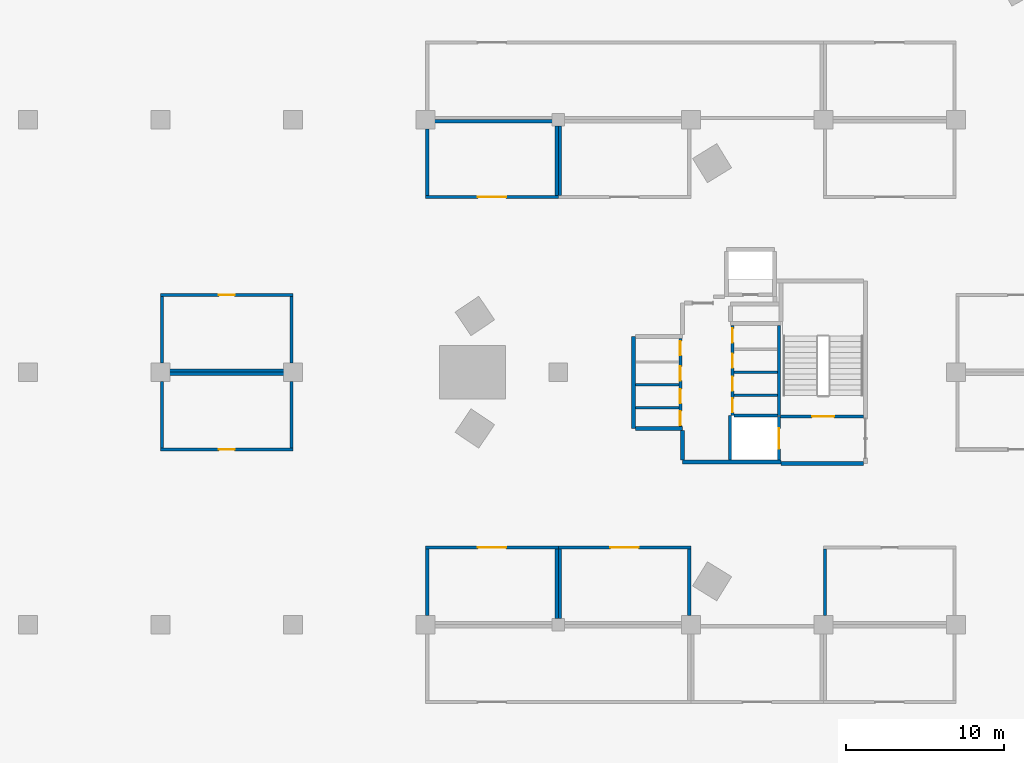
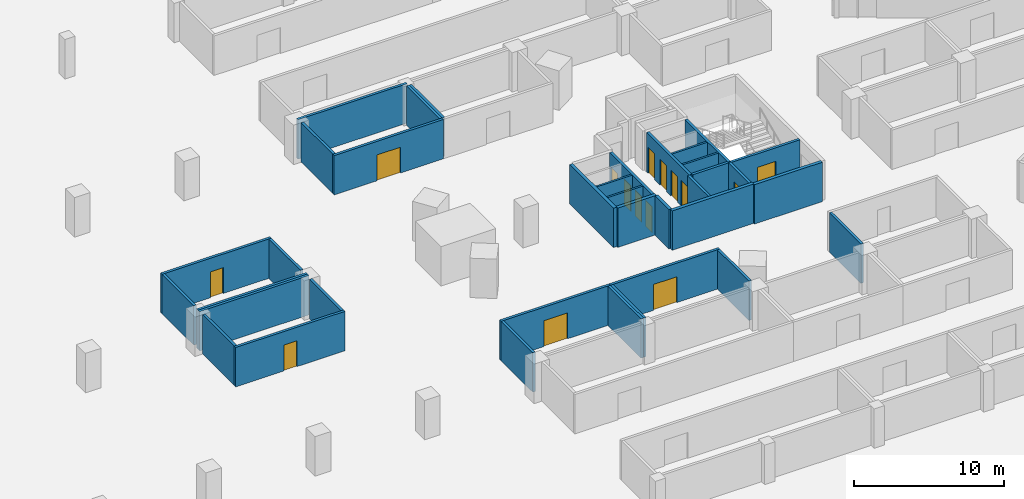
# One storey, part 9 of 37: 36 walls, 15 doors, 15 openings.
"""IFC4 building model written with IfcOpenShell, lengths in metres."""

import ifcopenshell
import ifcopenshell.guid

model = None  # the IFC model being written
_history = None  # IfcOwnerHistory: only IFC2X3 demands one
_inside = {}  # id of a spatial element -> (the spatial element, [elements in it])
_under = {}  # id of a project, library or spatial element -> (it, [spatial elements below it])
_declared = {}  # id of a project -> (the project, [libraries it declares])
_typed = {}  # id of a type object -> (the type object, [elements of that type])
_made_of = {}  # id of a material, layer set ... -> (it, [elements and type objects made of it])


def new_model(schema):
    """Start an empty IFC model of exactly this schema.

    Asked for "IFC4X3", IfcOpenShell would pick the latest addendum, in which some entities
    have other attributes; the version numbers below select the first issue.
    IFC2X3 requires an IfcOwnerHistory on every rooted entity: one is made here for all.
    """
    global model, _history
    if schema == "IFC4X3":
        model = ifcopenshell.file(schema_version=(4, 3, 0, 0))
    else:
        model = ifcopenshell.file(schema=schema)
    _inside.clear()
    _under.clear()
    _declared.clear()
    _typed.clear()
    _made_of.clear()
    _history = None
    if model.schema == "IFC2X3":
        org = make("IfcOrganization", Name="unknown")
        user = make(
            "IfcPersonAndOrganization",
            ThePerson=make("IfcPerson", FamilyName="unknown"),
            TheOrganization=org,
        )
        app = make(
            "IfcApplication",
            ApplicationDeveloper=org,
            Version="unknown",
            ApplicationFullName="unknown",
            ApplicationIdentifier="unknown",
        )
        _history = make(
            "IfcOwnerHistory",
            OwningUser=user,
            OwningApplication=app,
            ChangeAction="ADDED",
            CreationDate=0,
        )
    return model


def make(cls, **values):
    """One entity of the class cls with the attributes given. An attribute that is None is left unset."""
    return model.create_entity(
        cls, **{name: value for name, value in values.items() if value is not None}
    )


def rooted(cls, **values):
    """An entity with a GlobalId (a new one), such as an element, a storey or a relation."""
    return make(cls, GlobalId=ifcopenshell.guid.new(), OwnerHistory=_history, **values)


def si_unit(unit_type, name, prefix=None):
    """IfcSIUnit, for example si_unit("LENGTHUNIT", "METRE", prefix="MILLI")."""
    return make("IfcSIUnit", UnitType=unit_type, Prefix=prefix, Name=name)


def assignment(units):
    """IfcUnitAssignment: the units of a project."""
    return None if units is None else make("IfcUnitAssignment", Units=units)


def point(xyz):
    """IfcCartesianPoint."""
    return None if xyz is None else make("IfcCartesianPoint", Coordinates=xyz)


def direction(xyz):
    """IfcDirection."""
    return None if xyz is None else make("IfcDirection", DirectionRatios=xyz)


def frame(location, z_axis=None, x_axis=None):
    """IfcAxis2Placement3D, a coordinate frame: its origin and axes. An axis left out is left unset."""
    return make(
        "IfcAxis2Placement3D",
        Location=point(location),
        Axis=direction(z_axis),
        RefDirection=direction(x_axis),
    )


def frame_2d(location, x_axis=None):
    """IfcAxis2Placement2D, a coordinate frame in the plane: its origin and x axis."""
    return make(
        "IfcAxis2Placement2D", Location=point(location), RefDirection=direction(x_axis)
    )


def origin():
    """The frame at (0, 0, 0) with its axes left unset."""
    return frame((0.0, 0.0, 0.0))


def place(relative_to, where):
    """IfcLocalPlacement: puts the frame where relative to a parent placement (None: the world)."""
    return make(
        "IfcLocalPlacement", PlacementRelTo=relative_to, RelativePlacement=where
    )


def context(
    kind, dimensions, precision=None, world=None, true_north=None, identifier=None
):
    """IfcGeometricRepresentationContext, for example the 3D "Model" context."""
    return make(
        "IfcGeometricRepresentationContext",
        ContextIdentifier=identifier,
        ContextType=kind,
        CoordinateSpaceDimension=dimensions,
        Precision=precision,
        WorldCoordinateSystem=world,
        TrueNorth=true_north,
    )


def subcontext(parent, identifier, kind, view, scale=None):
    """IfcGeometricRepresentationSubContext, for example "Body" below "Model"."""
    return make(
        "IfcGeometricRepresentationSubContext",
        ContextIdentifier=identifier,
        ContextType=kind,
        ParentContext=parent,
        TargetScale=scale,
        TargetView=view,
    )


def project(units=None, contexts=None):
    """IfcProject with its units and contexts."""
    return rooted(
        "IfcProject",
        Name="project",
        RepresentationContexts=contexts,
        UnitsInContext=assignment(units),
    )


def spatial(cls, under=None, at=None, **own):
    """A site, building, storey or space (cls), placed at a placement, below another one or the project."""
    s = rooted(cls, ObjectPlacement=at, **own)
    if under is not None:
        _under.setdefault(under.id(), (under, []))[1].append(s)
    return s


def profile(cls, at=None, kind="AREA", **sizes):
    """A parametric profile (cls). Its sizes go by their IFC names, for example OverallWidth=200.0."""
    return make(cls, ProfileType=kind, Position=at, **sizes)


def rectangle(**sizes):
    """IfcRectangleProfileDef."""
    return profile("IfcRectangleProfileDef", **sizes)


def extrude(swept, where, along, depth):
    """IfcExtrudedAreaSolid: the profile swept, set in the frame where, extruded along a direction by depth."""
    return make(
        "IfcExtrudedAreaSolid",
        SweptArea=swept,
        Position=where,
        ExtrudedDirection=direction(along),
        Depth=depth,
    )


def shape(context_of_items, identifier, shape_type, items):
    """IfcShapeRepresentation: the items that make up one representation, for example the "Body"."""
    return make(
        "IfcShapeRepresentation",
        ContextOfItems=context_of_items,
        RepresentationIdentifier=identifier,
        RepresentationType=shape_type,
        Items=items,
    )


def material(Name=None, Category=None):
    """IfcMaterial."""
    return make("IfcMaterial", Name=Name, Category=Category)


def layer(
    of_material, thickness, ventilated=None, Name=None, Category=None, Priority=None
):
    """IfcMaterialLayer: one layer of a wall or slab, of a material (None: an air gap)."""
    return make(
        "IfcMaterialLayer",
        Material=of_material,
        LayerThickness=thickness,
        IsVentilated=ventilated,
        Name=Name,
        Category=Category,
        Priority=Priority,
    )


def layer_set(layers, Name=None):
    """IfcMaterialLayerSet."""
    return make("IfcMaterialLayerSet", MaterialLayers=layers, LayerSetName=Name)


def made_of(thing, what):
    """Note that an element or type object is made of a material, layer set ...; save() writes the relation."""
    if what is not None:
        _made_of.setdefault(what.id(), (what, []))[1].append(thing)
    return thing


def type_object(cls, material=None, **own):
    """A type object (cls), such as IfcWallType, which elements share."""
    return made_of(rooted(cls, **own), material)


def element(
    cls,
    number,
    at=None,
    inside=None,
    cuts=None,
    type_object=None,
    material=None,
    context=None,
    identifier="Body",
    shape_type=None,
    held_by="IfcProductDefinitionShape",
    body=None,
    shapes=None,
    **own,
):
    """One element of the class cls, such as IfcWall. Its Tag is "e" and its number.

    at: its placement. inside: the storey or other place that contains it. cuts: it is an
    opening in that element (IfcRelVoidsElement). A single representation is given by context,
    identifier, shape_type and body (its items); several are given by shapes. held_by: the class
    of the entity that holds the representations. save() writes the other relations.
    """
    e = rooted(cls, Tag="e%d" % number, ObjectPlacement=at, **own)
    if body is not None:
        shapes = [shape(context, identifier, shape_type, body)]
    if shapes is not None:
        e.Representation = make(held_by, Representations=shapes)
    if inside is not None:
        _inside.setdefault(inside.id(), (inside, []))[1].append(e)
    if cuts is not None:
        rooted(
            "IfcRelVoidsElement", RelatingBuildingElement=cuts, RelatedOpeningElement=e
        )
    if type_object is not None:
        _typed.setdefault(type_object.id(), (type_object, []))[1].append(e)
    return made_of(e, material)


def fill(opening, filler):
    """IfcRelFillsElement: the door or window that sits in an opening."""
    return rooted(
        "IfcRelFillsElement",
        RelatingOpeningElement=opening,
        RelatedBuildingElement=filler,
    )


def aggregate(whole, parts):
    """IfcRelAggregates: a whole, such as a stair, and the parts it consists of."""
    return rooted("IfcRelAggregates", RelatingObject=whole, RelatedObjects=parts)


def save(model, path):
    """Write the relations noted so far, then the file.

    IfcRelAggregates (storeys below a building ...), IfcRelContainedInSpatialStructure (elements
    in a storey), IfcRelDefinesByType, IfcRelAssociatesMaterial and IfcRelDeclares: one each for
    every whole, place, type object, material and project.
    """
    for whole, parts in _under.values():
        aggregate(whole, parts)
    for where, things in _inside.values():
        rooted(
            "IfcRelContainedInSpatialStructure",
            RelatedElements=things,
            RelatingStructure=where,
        )
    for kind, things in _typed.values():
        rooted("IfcRelDefinesByType", RelatedObjects=things, RelatingType=kind)
    for what, things in _made_of.values():
        rooted("IfcRelAssociatesMaterial", RelatedObjects=things, RelatingMaterial=what)
    for by, libraries in _declared.values():
        rooted("IfcRelDeclares", RelatingContext=by, RelatedDefinitions=libraries)
    model.write(path)


model = new_model("IFC4")

# Units and contexts
model_context = context("Model", 3, precision=1e-05, world=origin(), true_north=direction((0.0, 1.0)))
body_context = subcontext(model_context, "Body", "Model", "MODEL_VIEW")
ifc_project = project(units=[si_unit("LENGTHUNIT", "METRE"), si_unit("AREAUNIT", "SQUARE_METRE"), si_unit("VOLUMEUNIT", "CUBIC_METRE"), si_unit("PLANEANGLEUNIT", "RADIAN"), si_unit("MASSUNIT", "GRAM", prefix="KILO")], contexts=[model_context])

# Site, building, storey
site_placement = place(None, origin())
site = spatial("IfcSite", under=ifc_project, at=site_placement, CompositionType="ELEMENT")
building_placement = place(site_placement, origin())
building = spatial("IfcBuilding", under=site, at=building_placement, Name="Tamra Quay Hotel Tower", CompositionType="ELEMENT")
storey_placement = place(building_placement, frame((0.0, 0.0, -7.199951171875)))
storey = spatial("IfcBuildingStorey", under=building, at=storey_placement, Name="B2", CompositionType="ELEMENT", Elevation=-7.199951171875)

# Wall, opening, door
ifc_material_1 = material(Name="Blockwork", Category="masonry")
ifc_layer_1 = layer(ifc_material_1, 0.199951171875)
ifc_layer_set_1 = layer_set([ifc_layer_1], Name="Car park room wall 200")
wall_type_1 = type_object("IfcWallType", Name="Car park room wall 200", PredefinedType="PARTITIONING", material=ifc_layer_set_1)
wall_1_placement = place(storey_placement, frame((-38.699951171875, -11.10009765625, 0.0), z_axis=(0.0, 0.0, 1.0), x_axis=(1.0, 0.0, 0.0)))
wall_1 = element("IfcWall", 1, at=wall_1_placement, inside=storey, type_object=wall_type_1, Name="PW", PredefinedType="PARTITIONING", context=body_context, shape_type="SweptSolid", body=[
    extrude(rectangle(XDim=8.39990234375, YDim=0.199951171875, at=frame_2d((4.199951171875, 0.0))), origin(), (0.0, 0.0, 1.0), 3.199951171875),
])
opening_1_placement = place(wall_1_placement, frame((3.300048828125, 0.0, 0.0)))
opening_1 = element("IfcOpeningElement", 2, at=opening_1_placement, cuts=wall_1, Name="Opening PD2", PredefinedType="OPENING", context=body_context, shape_type="SweptSolid", body=[
    extrude(rectangle(XDim=1.800048828125, YDim=2.10009765625, at=frame_2d((0.89990234375, 1.050048828125))), frame((0.0, 0.10986328125, 0.0), z_axis=(0.0, -1.0, 0.0), x_axis=(1.0, 0.0, 0.0)), (0.0, 0.0, 1.0), 0.219970703125),
])
ifc_material_2 = material(Name="Plant door 1800 x 2100")
door_type_1 = type_object("IfcDoorType", Name="Plant door 1800 x 2100", OperationType="DOUBLE_DOOR_SINGLE_SWING", PredefinedType="DOOR", material=ifc_material_2)
door_1_placement = place(opening_1_placement, origin())
door_1 = element("IfcDoor", 3, at=door_1_placement, inside=storey, type_object=door_type_1, Name="PD2", OperationType="DOUBLE_DOOR_SINGLE_SWING", OverallHeight=2.10009765625, OverallWidth=1.800048828125, PredefinedType="DOOR", context=body_context, shape_type="SweptSolid", body=[
    extrude(rectangle(XDim=1.800048828125, YDim=2.10009765625, at=frame_2d((0.89990234375, 1.050048828125))), frame((0.0, 0.02490234375, 0.0), z_axis=(0.0, -1.0, 0.0), x_axis=(1.0, 0.0, 0.0)), (0.0, 0.0, 1.0), 0.050048828125),
])
fill(opening_1, door_1)

# Walls
wall_2_placement = place(storey_placement, frame((-38.60009765625, -15.39990234375, 0.0), z_axis=(0.0, 0.0, 1.0), x_axis=(0.0, 1.0, 0.0)))
element("IfcWall", 4, at=wall_2_placement, inside=storey, type_object=wall_type_1, Name="PW", PredefinedType="PARTITIONING", context=body_context, shape_type="SweptSolid", body=[
    extrude(rectangle(XDim=4.199951171875, YDim=0.199951171875, at=frame_2d((2.10009765625, 0.0))), origin(), (0.0, 0.0, 1.0), 3.199951171875),
])
wall_3_placement = place(storey_placement, frame((-30.39990234375, -15.60009765625, 0.0), z_axis=(0.0, 0.0, 1.0), x_axis=(0.0, 1.0, 0.0)))
element("IfcWall", 5, at=wall_3_placement, inside=storey, type_object=wall_type_1, Name="PW", PredefinedType="PARTITIONING", context=body_context, shape_type="SweptSolid", body=[
    extrude(rectangle(XDim=4.400146484375, YDim=0.199951171875, at=frame_2d((2.2001953125, 0.0))), origin(), (0.0, 0.0, 1.0), 3.199951171875),
])

# Wall, opening, door
wall_4_placement = place(storey_placement, frame((-30.300048828125, -11.10009765625, 0.0), z_axis=(0.0, 0.0, 1.0), x_axis=(1.0, 0.0, 0.0)))
wall_4 = element("IfcWall", 6, at=wall_4_placement, inside=storey, type_object=wall_type_1, Name="PW", PredefinedType="PARTITIONING", context=body_context, shape_type="SweptSolid", body=[
    extrude(rectangle(XDim=8.400146484375, YDim=0.199951171875, at=frame_2d((4.2001953125, 0.0))), origin(), (0.0, 0.0, 1.0), 3.199951171875),
])
opening_2_placement = place(wall_4_placement, frame((3.300048828125, 0.0, 0.0)))
opening_2 = element("IfcOpeningElement", 7, at=opening_2_placement, cuts=wall_4, Name="Opening PD2", PredefinedType="OPENING", context=body_context, shape_type="SweptSolid", body=[
    extrude(rectangle(XDim=1.800048828125, YDim=2.10009765625, at=frame_2d((0.89990234375, 1.050048828125))), frame((0.0, 0.10986328125, 0.0), z_axis=(0.0, -1.0, 0.0), x_axis=(1.0, 0.0, 0.0)), (0.0, 0.0, 1.0), 0.219970703125),
])
door_2_placement = place(opening_2_placement, origin())
door_2 = element("IfcDoor", 8, at=door_2_placement, inside=storey, type_object=door_type_1, Name="PD2", OperationType="DOUBLE_DOOR_SINGLE_SWING", OverallHeight=2.10009765625, OverallWidth=1.800048828125, PredefinedType="DOOR", context=body_context, shape_type="SweptSolid", body=[
    extrude(rectangle(XDim=1.800048828125, YDim=2.10009765625, at=frame_2d((0.89990234375, 1.050048828125))), frame((0.0, 0.02490234375, 0.0), z_axis=(0.0, -1.0, 0.0), x_axis=(1.0, 0.0, 0.0)), (0.0, 0.0, 1.0), 0.050048828125),
])
fill(opening_2, door_2)

# Walls
wall_5_placement = place(storey_placement, frame((-30.199951171875, -15.60009765625, 0.0), z_axis=(0.0, 0.0, 1.0), x_axis=(0.0, 1.0, 0.0)))
element("IfcWall", 9, at=wall_5_placement, inside=storey, type_object=wall_type_1, Name="PW", PredefinedType="PARTITIONING", context=body_context, shape_type="SweptSolid", body=[
    extrude(rectangle(XDim=4.400146484375, YDim=0.199951171875, at=frame_2d((2.2001953125, 0.0))), origin(), (0.0, 0.0, 1.0), 3.199951171875),
])
for number, where, z_axis, x_axis, name in (
    (10, (-22.0, -15.39990234375, 0.0), (0.0, 0.0, 1.0), (0.0, 1.0, 0.0), "PW"),
    (11, (-13.39990234375, -15.39990234375, 0.0), (0.0, 0.0, 1.0), (0.0, 1.0, 0.0), "PW"),
):
    element("IfcWall", number, at=place(storey_placement, frame(where, z_axis=z_axis, x_axis=x_axis)), inside=storey, type_object=wall_type_1, Name=name, PredefinedType="PARTITIONING", context=body_context, shape_type="SweptSolid", body=[
        extrude(rectangle(XDim=4.199951171875, YDim=0.199951171875, at=frame_2d((2.10009765625, 0.0))), origin(), (0.0, 0.0, 1.0), 3.199951171875),
    ])

# Wall, opening, door
wall_6_placement = place(storey_placement, frame((-38.699951171875, 11.10009765625, 0.0), z_axis=(0.0, 0.0, 1.0), x_axis=(1.0, 0.0, 0.0)))
wall_6 = element("IfcWall", 12, at=wall_6_placement, inside=storey, type_object=wall_type_1, Name="PW", PredefinedType="PARTITIONING", context=body_context, shape_type="SweptSolid", body=[
    extrude(rectangle(XDim=8.39990234375, YDim=0.199951171875, at=frame_2d((4.199951171875, 0.0))), origin(), (0.0, 0.0, 1.0), 3.199951171875),
])
opening_3_placement = place(wall_6_placement, frame((3.300048828125, 0.0, 0.0)))
opening_3 = element("IfcOpeningElement", 13, at=opening_3_placement, cuts=wall_6, Name="Opening PD2", PredefinedType="OPENING", context=body_context, shape_type="SweptSolid", body=[
    extrude(rectangle(XDim=1.800048828125, YDim=2.10009765625, at=frame_2d((0.89990234375, 1.050048828125))), frame((0.0, 0.10986328125, 0.0), z_axis=(0.0, -1.0, 0.0), x_axis=(1.0, 0.0, 0.0)), (0.0, 0.0, 1.0), 0.219970703125),
])
door_3_placement = place(opening_3_placement, origin())
door_3 = element("IfcDoor", 14, at=door_3_placement, inside=storey, type_object=door_type_1, Name="PD2", OperationType="DOUBLE_DOOR_SINGLE_SWING", OverallHeight=2.10009765625, OverallWidth=1.800048828125, PredefinedType="DOOR", context=body_context, shape_type="SweptSolid", body=[
    extrude(rectangle(XDim=1.800048828125, YDim=2.10009765625, at=frame_2d((0.89990234375, 1.050048828125))), frame((0.0, 0.02490234375, 0.0), z_axis=(0.0, -1.0, 0.0), x_axis=(1.0, 0.0, 0.0)), (0.0, 0.0, 1.0), 0.050048828125),
])
fill(opening_3, door_3)

# Walls
wall_7_placement = place(storey_placement, frame((-38.699951171875, 15.89990234375, 0.0), z_axis=(0.0, 0.0, 1.0), x_axis=(1.0, 0.0, 0.0)))
element("IfcWall", 15, at=wall_7_placement, inside=storey, type_object=wall_type_1, Name="PW", PredefinedType="PARTITIONING", context=body_context, shape_type="SweptSolid", body=[
    extrude(rectangle(XDim=8.39990234375, YDim=0.199951171875, at=frame_2d((4.199951171875, 0.0))), origin(), (0.0, 0.0, 1.0), 3.199951171875),
])
wall_8_placement = place(storey_placement, frame((-38.60009765625, 11.199951171875, 0.0), z_axis=(0.0, 0.0, 1.0), x_axis=(0.0, 1.0, 0.0)))
element("IfcWall", 16, at=wall_8_placement, inside=storey, type_object=wall_type_1, Name="PW", PredefinedType="PARTITIONING", context=body_context, shape_type="SweptSolid", body=[
    extrude(rectangle(XDim=4.199951171875, YDim=0.199951171875, at=frame_2d((2.10009765625, 0.0))), origin(), (0.0, 0.0, 1.0), 3.199951171875),
])
for number, where, z_axis, x_axis, name in (
    (17, (-30.39990234375, 11.199951171875, 0.0), (0.0, 0.0, 1.0), (0.0, 1.0, 0.0), "PW"),
    (18, (-30.199951171875, 11.199951171875, 0.0), (0.0, 0.0, 1.0), (0.0, 1.0, 0.0), "PW"),
):
    element("IfcWall", number, at=place(storey_placement, frame(where, z_axis=z_axis, x_axis=x_axis)), inside=storey, type_object=wall_type_1, Name=name, PredefinedType="PARTITIONING", context=body_context, shape_type="SweptSolid", body=[
        extrude(rectangle(XDim=4.400146484375, YDim=0.199951171875, at=frame_2d((2.2001953125, 0.0))), origin(), (0.0, 0.0, 1.0), 3.199951171875),
    ])

# Wall, opening, door
wall_9_placement = place(storey_placement, frame((-55.5, -4.89990234375, 0.0), z_axis=(0.0, 0.0, 1.0), x_axis=(1.0, 0.0, 0.0)))
wall_9 = element("IfcWall", 19, at=wall_9_placement, inside=storey, type_object=wall_type_1, Name="PW", PredefinedType="PARTITIONING", context=body_context, shape_type="SweptSolid", body=[
    extrude(rectangle(XDim=8.39990234375, YDim=0.199951171875, at=frame_2d((4.199951171875, 0.0))), origin(), (0.0, 0.0, 1.0), 3.199951171875),
])
opening_4_placement = place(wall_9_placement, frame((3.699951171875, 0.0, 0.0)))
opening_4 = element("IfcOpeningElement", 20, at=opening_4_placement, cuts=wall_9, Name="Opening PD1", PredefinedType="OPENING", context=body_context, shape_type="SweptSolid", body=[
    extrude(rectangle(XDim=1.0, YDim=2.10009765625, at=frame_2d((0.5, 1.050048828125))), frame((0.0, 0.10986328125, 0.0), z_axis=(0.0, -1.0, 0.0), x_axis=(1.0, 0.0, 0.0)), (0.0, 0.0, 1.0), 0.219970703125),
])
ifc_material_3 = material(Name="Car park door 1000 x 2100")
door_type_2 = type_object("IfcDoorType", Name="Car park door 1000 x 2100", OperationType="NOTDEFINED", PredefinedType="DOOR", material=ifc_material_3)
door_4_placement = place(opening_4_placement, origin())
door_4 = element("IfcDoor", 21, at=door_4_placement, inside=storey, type_object=door_type_2, Name="PD1", OperationType="SINGLE_SWING_LEFT", OverallHeight=2.10009765625, OverallWidth=1.0, PredefinedType="DOOR", context=body_context, shape_type="SweptSolid", body=[
    extrude(rectangle(XDim=1.0, YDim=2.10009765625, at=frame_2d((0.5, 1.050048828125))), frame((0.0, 0.02490234375, 0.0), z_axis=(0.0, -1.0, 0.0), x_axis=(1.0, 0.0, 0.0)), (0.0, 0.0, 1.0), 0.050048828125),
])
fill(opening_4, door_4)

# Walls
wall_10_placement = place(storey_placement, frame((-55.5, -0.10009765625, 0.0), z_axis=(0.0, 0.0, 1.0), x_axis=(1.0, 0.0, 0.0)))
element("IfcWall", 22, at=wall_10_placement, inside=storey, type_object=wall_type_1, Name="PW", PredefinedType="PARTITIONING", context=body_context, shape_type="SweptSolid", body=[
    extrude(rectangle(XDim=8.39990234375, YDim=0.199951171875, at=frame_2d((4.199951171875, 0.0))), origin(), (0.0, 0.0, 1.0), 3.199951171875),
])
for number, where, z_axis, x_axis, name in (
    (23, (-55.39990234375, -4.800048828125, 0.0), (0.0, 0.0, 1.0), (0.0, 1.0, 0.0), "PW"),
    (24, (-47.199951171875, -4.800048828125, 0.0), (0.0, 0.0, 1.0), (0.0, 1.0, 0.0), "PW"),
):
    element("IfcWall", number, at=place(storey_placement, frame(where, z_axis=z_axis, x_axis=x_axis)), inside=storey, type_object=wall_type_1, Name=name, PredefinedType="PARTITIONING", context=body_context, shape_type="SweptSolid", body=[
        extrude(rectangle(XDim=4.199951171875, YDim=0.199951171875, at=frame_2d((2.10009765625, 0.0))), origin(), (0.0, 0.0, 1.0), 3.199951171875),
    ])
wall_11_placement = place(storey_placement, frame((-55.5, 0.10009765625, 0.0), z_axis=(0.0, 0.0, 1.0), x_axis=(1.0, 0.0, 0.0)))
element("IfcWall", 25, at=wall_11_placement, inside=storey, type_object=wall_type_1, Name="PW", PredefinedType="PARTITIONING", context=body_context, shape_type="SweptSolid", body=[
    extrude(rectangle(XDim=8.39990234375, YDim=0.199951171875, at=frame_2d((4.199951171875, 0.0))), origin(), (0.0, 0.0, 1.0), 3.199951171875),
])

# Wall, opening, door
wall_12_placement = place(storey_placement, frame((-55.5, 4.89990234375, 0.0), z_axis=(0.0, 0.0, 1.0), x_axis=(1.0, 0.0, 0.0)))
wall_12 = element("IfcWall", 26, at=wall_12_placement, inside=storey, type_object=wall_type_1, Name="PW", PredefinedType="PARTITIONING", context=body_context, shape_type="SweptSolid", body=[
    extrude(rectangle(XDim=8.39990234375, YDim=0.199951171875, at=frame_2d((4.199951171875, 0.0))), origin(), (0.0, 0.0, 1.0), 3.199951171875),
])
opening_5_placement = place(wall_12_placement, frame((3.699951171875, 0.0, 0.0)))
opening_5 = element("IfcOpeningElement", 27, at=opening_5_placement, cuts=wall_12, Name="Opening PD1", PredefinedType="OPENING", context=body_context, shape_type="SweptSolid", body=[
    extrude(rectangle(XDim=1.0, YDim=2.10009765625, at=frame_2d((0.5, 1.050048828125))), frame((0.0, 0.10986328125, 0.0), z_axis=(0.0, -1.0, 0.0), x_axis=(1.0, 0.0, 0.0)), (0.0, 0.0, 1.0), 0.219970703125),
])
door_5_placement = place(opening_5_placement, origin())
door_5 = element("IfcDoor", 28, at=door_5_placement, inside=storey, type_object=door_type_2, Name="PD1", OperationType="SINGLE_SWING_LEFT", OverallHeight=2.10009765625, OverallWidth=1.0, PredefinedType="DOOR", context=body_context, shape_type="SweptSolid", body=[
    extrude(rectangle(XDim=1.0, YDim=2.10009765625, at=frame_2d((0.5, 1.050048828125))), frame((0.0, 0.02490234375, 0.0), z_axis=(0.0, -1.0, 0.0), x_axis=(1.0, 0.0, 0.0)), (0.0, 0.0, 1.0), 0.050048828125),
])
fill(opening_5, door_5)

# Walls
for number, where, z_axis, x_axis, name in (
    (29, (-55.39990234375, 0.60009765625, 0.0), (0.0, 0.0, 1.0), (0.0, 1.0, 0.0), "PW"),
    (30, (-47.199951171875, 0.60009765625, 0.0), (0.0, 0.0, 1.0), (0.0, 1.0, 0.0), "PW"),
):
    element("IfcWall", number, at=place(storey_placement, frame(where, z_axis=z_axis, x_axis=x_axis)), inside=storey, type_object=wall_type_1, Name=name, PredefinedType="PARTITIONING", context=body_context, shape_type="SweptSolid", body=[
        extrude(rectangle(XDim=4.199951171875, YDim=0.199951171875, at=frame_2d((2.10009765625, 0.0))), origin(), (0.0, 0.0, 1.0), 3.199951171875),
    ])

# Wall, openings, doors
ifc_material_4 = material(Name="Concrete M70", Category="concrete")
ifc_layer_2 = layer(ifc_material_4, 0.199951171875)
ifc_layer_set_2 = layer_set([ifc_layer_2], Name="Concrete M70 core wall 200")
wall_type_2 = type_object("IfcWallType", Name="Concrete M70 core wall 200", PredefinedType="SHEAR", material=ifc_layer_set_2)
wall_13_placement = place(storey_placement, frame((-22.5625, -3.448974609375, 0.0), z_axis=(0.0, 0.0, 1.0), x_axis=(0.0, 1.0, 0.0)))
wall_13 = element("IfcWall", 31, at=wall_13_placement, inside=storey, type_object=wall_type_2, Name="CW2", PredefinedType="SHEAR", context=body_context, shape_type="SweptSolid", body=[
    extrude(rectangle(XDim=5.597900390625, YDim=0.199951171875, at=frame_2d((2.798828125, 0.0))), origin(), (0.0, 0.0, 1.0), 3.199951171875),
])
opening_6_placement = place(wall_13_placement, frame((4.52392578125, 0.0, 0.0)))
opening_6 = element("IfcOpeningElement", 32, at=opening_6_placement, cuts=wall_13, Name="Opening D2", PredefinedType="OPENING", context=body_context, shape_type="SweptSolid", body=[
    extrude(rectangle(XDim=0.89990234375, YDim=2.10009765625, at=frame_2d((0.449951171875, 1.050048828125))), frame((0.0, 0.10986328125, 0.0), z_axis=(0.0, -1.0, 0.0), x_axis=(1.0, 0.0, 0.0)), (0.0, 0.0, 1.0), 0.219970703125),
])
opening_7_placement = place(wall_13_placement, frame((2.923828125, 0.0, 0.0)))
opening_7 = element("IfcOpeningElement", 33, at=opening_7_placement, cuts=wall_13, Name="Opening D2", PredefinedType="OPENING", context=body_context, shape_type="SweptSolid", body=[
    extrude(rectangle(XDim=0.89990234375, YDim=2.10009765625, at=frame_2d((0.449951171875, 1.050048828125))), frame((0.0, 0.10986328125, 0.0), z_axis=(0.0, -1.0, 0.0), x_axis=(1.0, 0.0, 0.0)), (0.0, 0.0, 1.0), 0.219970703125),
])
opening_8_placement = place(wall_13_placement, frame((1.473876953125, 0.0, 0.0)))
opening_8 = element("IfcOpeningElement", 34, at=opening_8_placement, cuts=wall_13, Name="Opening D2", PredefinedType="OPENING", context=body_context, shape_type="SweptSolid", body=[
    extrude(rectangle(XDim=0.89990234375, YDim=2.10009765625, at=frame_2d((0.449951171875, 1.050048828125))), frame((0.0, 0.10986328125, 0.0), z_axis=(0.0, -1.0, 0.0), x_axis=(1.0, 0.0, 0.0)), (0.0, 0.0, 1.0), 0.219970703125),
])
opening_9_placement = place(wall_13_placement, frame((0.080078125, 0.0, 0.0)))
opening_9 = element("IfcOpeningElement", 35, at=opening_9_placement, cuts=wall_13, Name="Opening D2", PredefinedType="OPENING", context=body_context, shape_type="SweptSolid", body=[
    extrude(rectangle(XDim=0.89990234375, YDim=2.10009765625, at=frame_2d((0.449951171875, 1.050048828125))), frame((0.0, 0.10986328125, 0.0), z_axis=(0.0, -1.0, 0.0), x_axis=(1.0, 0.0, 0.0)), (0.0, 0.0, 1.0), 0.219970703125),
])
ifc_material_5 = material(Name="Core door D2 900x2100 LH")
door_type_3 = type_object("IfcDoorType", Name="Core door D2 900x2100 LH", OperationType="NOTDEFINED", PredefinedType="DOOR", material=ifc_material_5)
door_6_placement = place(opening_7_placement, origin())
door_6 = element("IfcDoor", 36, at=door_6_placement, inside=storey, type_object=door_type_3, Name="D2", OperationType="SINGLE_SWING_LEFT", OverallHeight=2.10009765625, OverallWidth=0.89990234375, PredefinedType="DOOR", context=body_context, shape_type="SweptSolid", body=[
    extrude(rectangle(XDim=0.89990234375, YDim=2.10009765625, at=frame_2d((0.449951171875, 1.050048828125))), frame((0.0, 0.02490234375, 0.0), z_axis=(0.0, -1.0, 0.0), x_axis=(1.0, 0.0, 0.0)), (0.0, 0.0, 1.0), 0.050048828125),
])
fill(opening_7, door_6)
door_7_placement = place(opening_8_placement, origin())
door_7 = element("IfcDoor", 37, at=door_7_placement, inside=storey, type_object=door_type_3, Name="D2", OperationType="SINGLE_SWING_LEFT", OverallHeight=2.10009765625, OverallWidth=0.89990234375, PredefinedType="DOOR", context=body_context, shape_type="SweptSolid", body=[
    extrude(rectangle(XDim=0.89990234375, YDim=2.10009765625, at=frame_2d((0.449951171875, 1.050048828125))), frame((0.0, 0.02490234375, 0.0), z_axis=(0.0, -1.0, 0.0), x_axis=(1.0, 0.0, 0.0)), (0.0, 0.0, 1.0), 0.050048828125),
])
fill(opening_8, door_7)
ifc_material_6 = material(Name="Core door D2 900x2100 RH")
door_type_4 = type_object("IfcDoorType", Name="Core door D2 900x2100 RH", OperationType="NOTDEFINED", PredefinedType="DOOR", material=ifc_material_6)
door_8_placement = place(opening_6_placement, origin())
door_8 = element("IfcDoor", 38, at=door_8_placement, inside=storey, type_object=door_type_4, Name="D2", OperationType="SINGLE_SWING_RIGHT", OverallHeight=2.10009765625, OverallWidth=0.89990234375, PredefinedType="DOOR", context=body_context, shape_type="SweptSolid", body=[
    extrude(rectangle(XDim=0.89990234375, YDim=2.10009765625, at=frame_2d((0.449951171875, 1.050048828125))), frame((0.0, 0.02490234375, 0.0), z_axis=(0.0, -1.0, 0.0), x_axis=(1.0, 0.0, 0.0)), (0.0, 0.0, 1.0), 0.050048828125),
])
fill(opening_6, door_8)
door_9_placement = place(opening_9_placement, origin())
door_9 = element("IfcDoor", 39, at=door_9_placement, inside=storey, type_object=door_type_4, Name="D2", OperationType="SINGLE_SWING_RIGHT", OverallHeight=2.10009765625, OverallWidth=0.89990234375, PredefinedType="DOOR", context=body_context, shape_type="SweptSolid", body=[
    extrude(rectangle(XDim=0.89990234375, YDim=2.10009765625, at=frame_2d((0.449951171875, 1.050048828125))), frame((0.0, 0.02490234375, 0.0), z_axis=(0.0, -1.0, 0.0), x_axis=(1.0, 0.0, 0.0)), (0.0, 0.0, 1.0), 0.050048828125),
])
fill(opening_9, door_9)

# Wall
wall_14_placement = place(storey_placement, frame((-16.3125, -2.75, 0.0), z_axis=(0.0, 0.0, 1.0), x_axis=(0.0, 1.0, 0.0)))
element("IfcWall", 40, at=wall_14_placement, inside=storey, type_object=wall_type_2, Name="CW2", PredefinedType="SHEAR", context=body_context, shape_type="SweptSolid", body=[
    extrude(rectangle(XDim=5.698974609375, YDim=0.199951171875, at=frame_2d((2.849609375, 0.0))), origin(), (0.0, 0.0, 1.0), 3.199951171875),
])

# Wall, openings, doors
wall_15_placement = place(storey_placement, frame((-19.26220703125, 2.948974609375, 0.0), z_axis=(0.0, 0.0, 1.0), x_axis=(0.0, -1.0, 0.0)))
wall_15 = element("IfcWall", 41, at=wall_15_placement, inside=storey, type_object=wall_type_2, Name="CW2", PredefinedType="SHEAR", context=body_context, shape_type="SweptSolid", body=[
    extrude(rectangle(XDim=5.698974609375, YDim=0.199951171875, at=frame_2d((2.849609375, 0.0))), origin(), (0.0, 0.0, 1.0), 3.199951171875),
])
opening_10_placement = place(wall_15_placement, frame((0.174072265625, 0.0, 0.0)))
opening_10 = element("IfcOpeningElement", 42, at=opening_10_placement, cuts=wall_15, Name="Opening D2", PredefinedType="OPENING", context=body_context, shape_type="SweptSolid", body=[
    extrude(rectangle(XDim=0.89990234375, YDim=2.10009765625, at=frame_2d((0.449951171875, 1.050048828125))), frame((0.0, 0.10986328125, 0.0), z_axis=(0.0, -1.0, 0.0), x_axis=(1.0, 0.0, 0.0)), (0.0, 0.0, 1.0), 0.219970703125),
])
opening_11_placement = place(wall_15_placement, frame((1.774169921875, 0.0, 0.0)))
opening_11 = element("IfcOpeningElement", 43, at=opening_11_placement, cuts=wall_15, Name="Opening D2", PredefinedType="OPENING", context=body_context, shape_type="SweptSolid", body=[
    extrude(rectangle(XDim=0.89990234375, YDim=2.10009765625, at=frame_2d((0.449951171875, 1.050048828125))), frame((0.0, 0.10986328125, 0.0), z_axis=(0.0, -1.0, 0.0), x_axis=(1.0, 0.0, 0.0)), (0.0, 0.0, 1.0), 0.219970703125),
])
opening_12_placement = place(wall_15_placement, frame((3.22412109375, 0.0, 0.0)))
opening_12 = element("IfcOpeningElement", 44, at=opening_12_placement, cuts=wall_15, Name="Opening D2", PredefinedType="OPENING", context=body_context, shape_type="SweptSolid", body=[
    extrude(rectangle(XDim=0.89990234375, YDim=2.10009765625, at=frame_2d((0.449951171875, 1.050048828125))), frame((0.0, 0.10986328125, 0.0), z_axis=(0.0, -1.0, 0.0), x_axis=(1.0, 0.0, 0.0)), (0.0, 0.0, 1.0), 0.219970703125),
])
opening_13_placement = place(wall_15_placement, frame((4.59912109375, 0.0, 0.0)))
opening_13 = element("IfcOpeningElement", 45, at=opening_13_placement, cuts=wall_15, Name="Opening D2", PredefinedType="OPENING", context=body_context, shape_type="SweptSolid", body=[
    extrude(rectangle(XDim=0.89990234375, YDim=2.10009765625, at=frame_2d((0.449951171875, 1.050048828125))), frame((0.0, 0.10986328125, 0.0), z_axis=(0.0, -1.0, 0.0), x_axis=(1.0, 0.0, 0.0)), (0.0, 0.0, 1.0), 0.219970703125),
])
door_10_placement = place(opening_11_placement, origin())
door_10 = element("IfcDoor", 46, at=door_10_placement, inside=storey, type_object=door_type_3, Name="D2", OperationType="SINGLE_SWING_LEFT", OverallHeight=2.10009765625, OverallWidth=0.89990234375, PredefinedType="DOOR", context=body_context, shape_type="SweptSolid", body=[
    extrude(rectangle(XDim=0.89990234375, YDim=2.10009765625, at=frame_2d((0.449951171875, 1.050048828125))), frame((0.0, 0.02490234375, 0.0), z_axis=(0.0, -1.0, 0.0), x_axis=(1.0, 0.0, 0.0)), (0.0, 0.0, 1.0), 0.050048828125),
])
fill(opening_11, door_10)
door_11_placement = place(opening_13_placement, origin())
door_11 = element("IfcDoor", 47, at=door_11_placement, inside=storey, type_object=door_type_3, Name="D2", OperationType="SINGLE_SWING_LEFT", OverallHeight=2.10009765625, OverallWidth=0.89990234375, PredefinedType="DOOR", context=body_context, shape_type="SweptSolid", body=[
    extrude(rectangle(XDim=0.89990234375, YDim=2.10009765625, at=frame_2d((0.449951171875, 1.050048828125))), frame((0.0, 0.02490234375, 0.0), z_axis=(0.0, -1.0, 0.0), x_axis=(1.0, 0.0, 0.0)), (0.0, 0.0, 1.0), 0.050048828125),
])
fill(opening_13, door_11)
door_12_placement = place(opening_10_placement, origin())
door_12 = element("IfcDoor", 48, at=door_12_placement, inside=storey, type_object=door_type_4, Name="D2", OperationType="SINGLE_SWING_RIGHT", OverallHeight=2.10009765625, OverallWidth=0.89990234375, PredefinedType="DOOR", context=body_context, shape_type="SweptSolid", body=[
    extrude(rectangle(XDim=0.89990234375, YDim=2.10009765625, at=frame_2d((0.449951171875, 1.050048828125))), frame((0.0, 0.02490234375, 0.0), z_axis=(0.0, -1.0, 0.0), x_axis=(1.0, 0.0, 0.0)), (0.0, 0.0, 1.0), 0.050048828125),
])
fill(opening_10, door_12)
door_13_placement = place(opening_12_placement, origin())
door_13 = element("IfcDoor", 49, at=door_13_placement, inside=storey, type_object=door_type_4, Name="D2", OperationType="SINGLE_SWING_RIGHT", OverallHeight=2.10009765625, OverallWidth=0.89990234375, PredefinedType="DOOR", context=body_context, shape_type="SweptSolid", body=[
    extrude(rectangle(XDim=0.89990234375, YDim=2.10009765625, at=frame_2d((0.449951171875, 1.050048828125))), frame((0.0, 0.02490234375, 0.0), z_axis=(0.0, -1.0, 0.0), x_axis=(1.0, 0.0, 0.0)), (0.0, 0.0, 1.0), 0.050048828125),
])
fill(opening_12, door_13)

# Wall, opening, door
wall_16_placement = place(storey_placement, frame((-10.96337890625, -2.800048828125, 0.0), z_axis=(0.0, 0.0, 1.0), x_axis=(-1.0, 0.0, 0.0)))
wall_16 = element("IfcWall", 50, at=wall_16_placement, inside=storey, type_object=wall_type_2, Name="CW2", PredefinedType="SHEAR", context=body_context, shape_type="SweptSolid", body=[
    extrude(rectangle(XDim=5.2509765625, YDim=0.199951171875, at=frame_2d((2.62548828125, 0.0))), origin(), (0.0, 0.0, 1.0), 3.199951171875),
])
opening_14_placement = place(wall_16_placement, frame((1.84912109375, 0.0, 0.0)))
opening_14 = element("IfcOpeningElement", 51, at=opening_14_placement, cuts=wall_16, Name="Opening FD2", PredefinedType="OPENING", context=body_context, shape_type="SweptSolid", body=[
    extrude(rectangle(XDim=1.39990234375, YDim=2.10009765625, at=frame_2d((0.699951171875, 1.050048828125))), frame((0.0, 0.10986328125, 0.0), z_axis=(0.0, -1.0, 0.0), x_axis=(1.0, 0.0, 0.0)), (0.0, 0.0, 1.0), 0.219970703125),
])
ifc_material_7 = material(Name="Core door FD2 1400x2100 LH")
door_type_5 = type_object("IfcDoorType", Name="Core door FD2 1400x2100 LH", OperationType="NOTDEFINED", PredefinedType="DOOR", material=ifc_material_7)
door_14_placement = place(opening_14_placement, origin())
door_14 = element("IfcDoor", 52, at=door_14_placement, inside=storey, type_object=door_type_5, Name="FD2", OperationType="SINGLE_SWING_LEFT", OverallHeight=2.10009765625, OverallWidth=1.39990234375, PredefinedType="DOOR", context=body_context, shape_type="SweptSolid", body=[
    extrude(rectangle(XDim=1.39990234375, YDim=2.10009765625, at=frame_2d((0.699951171875, 1.050048828125))), frame((0.0, 0.02490234375, 0.0), z_axis=(0.0, -1.0, 0.0), x_axis=(1.0, 0.0, 0.0)), (0.0, 0.0, 1.0), 0.050048828125),
])
fill(opening_14, door_14)

# Wall
wall_17_placement = place(storey_placement, frame((-19.162109375, -2.75, 0.0), z_axis=(0.0, 0.0, 1.0), x_axis=(1.0, 0.0, 0.0)))
element("IfcWall", 53, at=wall_17_placement, inside=storey, type_object=wall_type_2, Name="CW2", PredefinedType="SHEAR", context=body_context, shape_type="SweptSolid", body=[
    extrude(rectangle(XDim=2.749755859375, YDim=0.199951171875, at=frame_2d((1.375, 0.0))), origin(), (0.0, 0.0, 1.0), 3.199951171875),
])

# Wall, opening, door
wall_18_placement = place(storey_placement, frame((-16.312255859375, -2.80712890625, 0.0), z_axis=(0.0, 0.0, 1.0), x_axis=(0.0, -1.0, 0.0)))
wall_18 = element("IfcWall", 54, at=wall_18_placement, inside=storey, type_object=wall_type_2, Name="CW2", PredefinedType="SHEAR", context=body_context, shape_type="SweptSolid", body=[
    extrude(rectangle(XDim=2.741943359375, YDim=0.199951171875, at=frame_2d((1.37109375, 0.0))), origin(), (0.0, 0.0, 1.0), 3.199951171875),
])
opening_15_placement = place(wall_18_placement, frame((0.742919921875, 0.0, 0.0)))
opening_15 = element("IfcOpeningElement", 55, at=opening_15_placement, cuts=wall_18, Name="Opening LD", PredefinedType="OPENING", context=body_context, shape_type="SweptSolid", body=[
    extrude(rectangle(XDim=1.300048828125, YDim=2.10009765625, at=frame_2d((0.64990234375, 1.050048828125))), frame((0.0, 0.10986328125, 0.0), z_axis=(0.0, -1.0, 0.0), x_axis=(1.0, 0.0, 0.0)), (0.0, 0.0, 1.0), 0.219970703125),
])
ifc_material_8 = material(Name="Landing door LD 1300 sliding to left")
door_type_6 = type_object("IfcDoorType", Name="Landing door LD 1300 sliding to left", OperationType="NOTDEFINED", PredefinedType="DOOR", material=ifc_material_8)
door_15_placement = place(opening_15_placement, origin())
door_15 = element("IfcDoor", 56, at=door_15_placement, inside=storey, type_object=door_type_6, Name="LD", OperationType="SLIDING_TO_LEFT", OverallHeight=2.10009765625, OverallWidth=1.300048828125, PredefinedType="DOOR", context=body_context, shape_type="SweptSolid", body=[
    extrude(rectangle(XDim=1.300048828125, YDim=2.10009765625, at=frame_2d((0.64990234375, 1.050048828125))), frame((0.0, 0.02490234375, 0.0), z_axis=(0.0, -1.0, 0.0), x_axis=(1.0, 0.0, 0.0)), (0.0, 0.0, 1.0), 0.050048828125),
])
fill(opening_15, door_15)

# Walls
wall_19_placement = place(storey_placement, frame((-19.412353515625, -5.549072265625, 0.0), z_axis=(0.0, 0.0, 1.0), x_axis=(0.0, 1.0, 0.0)))
element("IfcWall", 57, at=wall_19_placement, inside=storey, type_object=wall_type_2, Name="CW2", PredefinedType="SHEAR", context=body_context, shape_type="SweptSolid", body=[
    extrude(rectangle(XDim=2.799072265625, YDim=0.199951171875, at=frame_2d((1.3994140625, 0.0))), origin(), (0.0, 0.0, 1.0), 3.199951171875),
])
ifc_layer_3 = layer(ifc_material_4, 0.25)
ifc_layer_set_3 = layer_set([ifc_layer_3], Name="Concrete M70 core wall 250")
wall_type_3 = type_object("IfcWallType", Name="Concrete M70 core wall 250", PredefinedType="SHEAR", material=ifc_layer_set_3)
wall_20_placement = place(storey_placement, frame((-16.187255859375, -5.675048828125, 0.0), z_axis=(0.0, 0.0, 1.0), x_axis=(-1.0, 0.0, 0.0)))
element("IfcWall", 58, at=wall_20_placement, inside=storey, type_object=wall_type_3, Name="CW1", PredefinedType="SHEAR", context=body_context, shape_type="SweptSolid", body=[
    extrude(rectangle(XDim=6.25, YDim=0.25, at=frame_2d((3.125, 0.0))), origin(), (0.0, 0.0, 1.0), 3.199951171875),
])
wall_21_placement = place(storey_placement, frame((-25.537353515625, -3.574951171875, 0.0), z_axis=(0.0, 0.0, 1.0), x_axis=(0.0, 1.0, 0.0)))
element("IfcWall", 59, at=wall_21_placement, inside=storey, type_object=wall_type_3, Name="CW1", PredefinedType="SHEAR", context=body_context, shape_type="SweptSolid", body=[
    extrude(rectangle(XDim=5.849853515625, YDim=0.25, at=frame_2d((2.9248046875, 0.0))), origin(), (0.0, 0.0, 1.0), 3.199951171875),
])
wall_22_placement = place(storey_placement, frame((-10.962646484375, -5.77490234375, 0.0), z_axis=(0.0, 0.0, 1.0), x_axis=(-1.0, 0.0, 0.0)))
element("IfcWall", 60, at=wall_22_placement, inside=storey, type_object=wall_type_3, Name="CW1", PredefinedType="SHEAR", context=body_context, shape_type="SweptSolid", body=[
    extrude(rectangle(XDim=5.224609375, YDim=0.25, at=frame_2d((2.6123046875, 0.0))), origin(), (0.0, 0.0, 1.0), 3.199951171875),
])
wall_23_placement = place(storey_placement, frame((-22.437255859375, -3.574951171875, 0.0), z_axis=(0.0, 0.0, 1.0), x_axis=(-1.0, 0.0, 0.0)))
element("IfcWall", 61, at=wall_23_placement, inside=storey, type_object=wall_type_3, Name="CW1", PredefinedType="SHEAR", context=body_context, shape_type="SweptSolid", body=[
    extrude(rectangle(XDim=2.974609375, YDim=0.25, at=frame_2d((1.4873046875, 0.0))), origin(), (0.0, 0.0, 1.0), 3.199951171875),
])
wall_24_placement = place(storey_placement, frame((-22.437255859375, -5.549560546875, 0.0), z_axis=(0.0, 0.0, 1.0), x_axis=(0.0, 1.0, 0.0)))
element("IfcWall", 62, at=wall_24_placement, inside=storey, type_object=wall_type_3, Name="CW1", PredefinedType="SHEAR", context=body_context, shape_type="SweptSolid", body=[
    extrude(rectangle(XDim=1.84912109375, YDim=0.25, at=frame_2d((0.924560546875, 0.0))), origin(), (0.0, 0.0, 1.0), 3.199951171875),
])
ifc_layer_4 = layer(ifc_material_1, 0.14990234375)
ifc_layer_set_4 = layer_set([ifc_layer_4], Name="Core partition block 150")
wall_type_4 = type_object("IfcWallType", Name="Core partition block 150", PredefinedType="PARTITIONING", material=ifc_layer_set_4)
for number, where, z_axis, x_axis, name in (
    (63, (-22.6630859375, -0.800048828125, 0.0), (0.0, 0.0, 1.0), (-1.0, 0.0, 0.0), "CP1"),
    (64, (-22.6630859375, -2.25, 0.0), (0.0, 0.0, 1.0), (-1.0, 0.0, 0.0), "CP1"),
    (65, (-16.4130859375, 0.0, 0.0), (0.0, 0.0, 1.0), (-1.0, 0.0, 0.0), "CP1"),
    (66, (-16.4130859375, -1.4501953125, 0.0), (0.0, 0.0, 1.0), (-1.0, 0.0, 0.0), "CP1"),
):
    element("IfcWall", number, at=place(storey_placement, frame(where, z_axis=z_axis, x_axis=x_axis)), inside=storey, type_object=wall_type_4, Name=name, PredefinedType="PARTITIONING", context=body_context, shape_type="SweptSolid", body=[
        extrude(rectangle(XDim=2.74853515625, YDim=0.14990234375, at=frame_2d((1.374267578125, 0.0))), origin(), (0.0, 0.0, 1.0), 3.199951171875),
    ])

save(model, "model.ifc")
